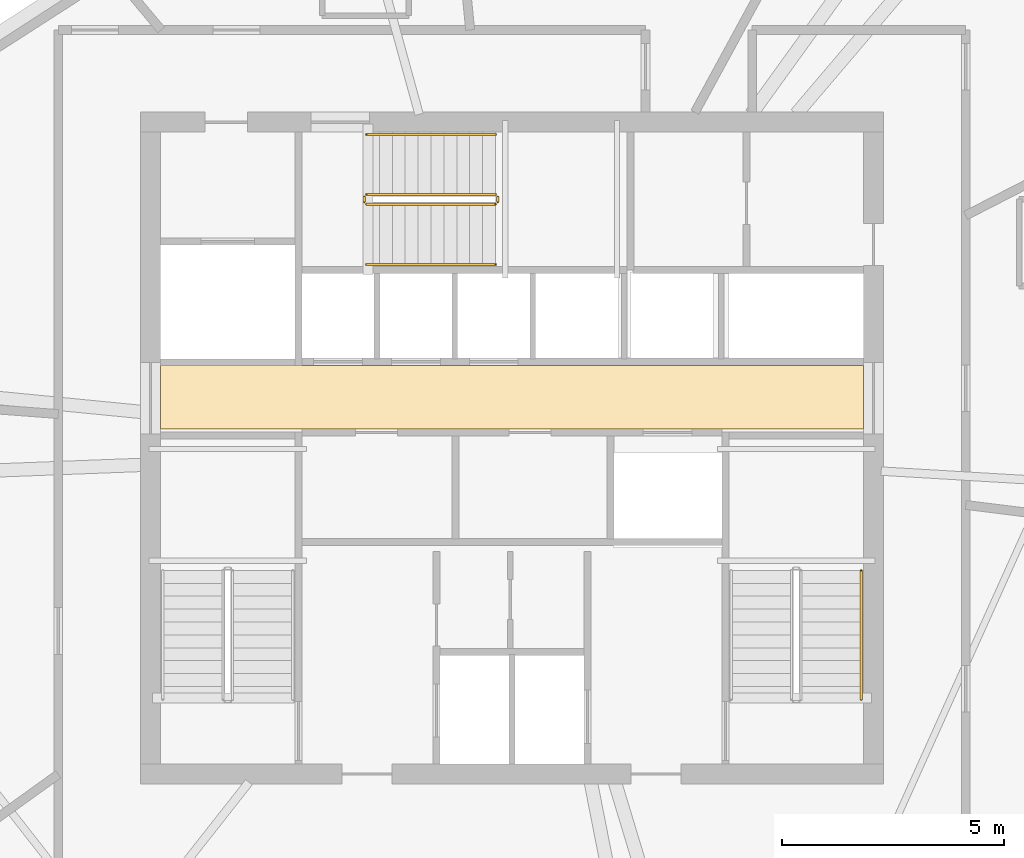
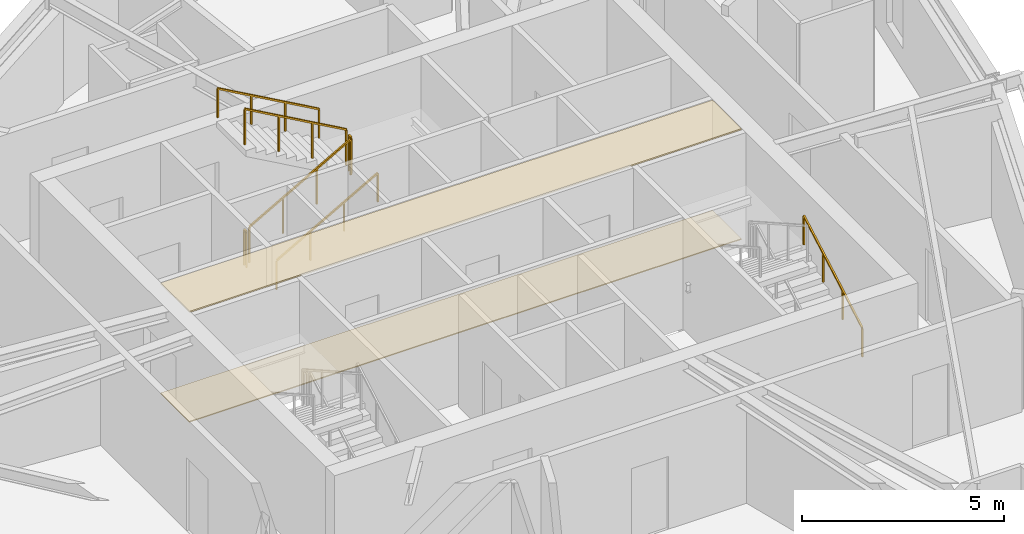
# One storey, part 13 of 15: 7 railings, 2 coverings.
"""IFC4 building model written with IfcOpenShell, lengths in metres."""

from ifc_helpers import new_model, si_unit, direction, frame, origin, origin_2d, place, context, subcontext, project, spatial, polyline, rectangle, outline, extrude, material, layer, layer_set, type_object, element, save


model = new_model("IFC4")

# Units and contexts
model_context = context("Model", 3, precision=1e-05, world=origin(), true_north=direction((0.0, 1.0)))
body_context = subcontext(model_context, "Body", "Model", "MODEL_VIEW")
ifc_project = project(units=[si_unit("LENGTHUNIT", "METRE"), si_unit("AREAUNIT", "SQUARE_METRE"), si_unit("VOLUMEUNIT", "CUBIC_METRE"), si_unit("PLANEANGLEUNIT", "RADIAN"), si_unit("MASSUNIT", "GRAM", prefix="KILO")], contexts=[model_context])

# Site, building, storey
site_placement = place(None, origin())
site = spatial("IfcSite", under=ifc_project, at=site_placement, CompositionType="ELEMENT")
building_placement = place(site_placement, origin())
building = spatial("IfcBuilding", under=site, at=building_placement, Name="Olszyna Solenne Hotel", CompositionType="ELEMENT")
storey_placement = place(building_placement, frame((0.0, 0.0, 245.300048828125)))
storey = spatial("IfcBuildingStorey", under=building, at=storey_placement, Name="L65", CompositionType="ELEMENT", Elevation=245.300048828125)

# Coverings
ifc_material_1 = material(Name="Mineral wool acoustic ceiling")
ifc_layer_1 = layer(ifc_material_1, 0.0400390625, Name="Mineral wool acoustic ceiling")
ifc_layer_set_1 = layer_set([ifc_layer_1], Name="Mineral wool acoustic ceiling")
covering_type_1 = type_object("IfcCoveringType", Name="CL-AC1", PredefinedType="CEILING", material=ifc_layer_set_1)
covering_1_placement = place(storey_placement, frame((0.0, 0.0, 3.320068359375)))
element("IfcCovering", 1, at=covering_1_placement, inside=storey, type_object=covering_type_1, Name="Lift lobby acoustic tile ceiling CL-L65-01", PredefinedType="CEILING", context=body_context, shape_type="SweptSolid", body=[
    extrude(outline(polyline([(30.10009765625, 27.030029296875), (45.89990234375, 27.030029296875), (45.89990234375, 28.4599609375), (30.10009765625, 28.4599609375), (30.10009765625, 27.030029296875)])), origin(), (0.0, 0.0, 1.0), 0.039794921875),
])
ifc_material_2 = material(Name="Ceramic floor tile")
ifc_layer_2 = layer(ifc_material_2, 0.030029296875, Name="Ceramic floor tile")
ifc_layer_set_2 = layer_set([ifc_layer_2], Name="Ceramic floor tile")
covering_type_2 = type_object("IfcCoveringType", Name="FL-TL1", PredefinedType="FLOORING", material=ifc_layer_set_2)
covering_2_placement = place(storey_placement, origin())
element("IfcCovering", 2, at=covering_2_placement, inside=storey, type_object=covering_type_2, Name="Lift lobby stoneware floor finish FLR-L65-01", PredefinedType="FLOORING", context=body_context, shape_type="SweptSolid", body=[
    extrude(outline(polyline([(30.10009765625, 27.030029296875), (45.89990234375, 27.030029296875), (45.89990234375, 28.4599609375), (30.10009765625, 28.4599609375), (30.10009765625, 27.030029296875)])), origin(), (0.0, 0.0, 1.0), 0.030029296875),
])

# Railings
ifc_material_3 = material(Name="Anodised bronze aluminium", Category="aluminium")
railing_type_1 = type_object("IfcRailingType", Name="GR-110", PredefinedType="BALUSTRADE", material=ifc_material_3)
railing_1_placement = place(storey_placement, frame((34.72998046875, 32.080078125, 0.16357421875)))
element("IfcRailing", 3, at=railing_1_placement, inside=storey, type_object=railing_type_1, Name="L65 ST3 stair guard 1", PredefinedType="BALUSTRADE", context=body_context, shape_type="SweptSolid", body=[
    extrude(rectangle(XDim=0.048095703125, YDim=0.048095703125, at=origin_2d()), frame((0.0, 0.0, 1.076171875), z_axis=(0.870897200241, 0.0, 0.491465224214), x_axis=(0.0, 1.0, 0.0)), (0.0, 0.0, 1.0), 3.329833984375),
    extrude(rectangle(XDim=0.0419921875, YDim=0.0419921875, at=origin_2d()), origin(), (0.0, 0.0, 1.0), 1.052001953125),
    extrude(rectangle(XDim=0.0419921875, YDim=0.0419921875, at=origin_2d()), frame((0.966552734375, 0.0, 0.54541015625)), (0.0, 0.0, 1.0), 1.052001953125),
    extrude(rectangle(XDim=0.0419921875, YDim=0.0419921875, at=origin_2d()), frame((1.933349609375, 0.0, 1.091064453125)), (0.0, 0.0, 1.0), 1.052001953125),
    extrude(rectangle(XDim=0.0419921875, YDim=0.0419921875, at=origin_2d()), frame((2.89990234375, 0.0, 1.636474609375)), (0.0, 0.0, 1.0), 1.052001953125),
])
railing_2_placement = place(storey_placement, frame((37.679931640625, 32.1298828125, 1.800048828125)))
element("IfcRailing", 4, at=railing_2_placement, inside=storey, type_object=railing_type_1, Name="L65 ST3 stair guard 2", PredefinedType="BALUSTRADE", context=body_context, shape_type="SweptSolid", body=[
    extrude(rectangle(XDim=0.048095703125, YDim=0.048095703125, at=origin_2d()), frame((0.0, 0.0, 1.076171875), z_axis=(0.0, 1.0, 0.0), x_axis=(-1.0, 0.0, 0.0)), (0.0, 0.0, 1.0), 0.1201171875),
    extrude(rectangle(XDim=0.0419921875, YDim=0.0419921875, at=origin_2d()), origin(), (0.0, 0.0, 1.0), 1.052001953125),
    extrude(rectangle(XDim=0.0419921875, YDim=0.0419921875, at=origin_2d()), frame((0.0, 0.1201171875, 0.0)), (0.0, 0.0, 1.0), 1.052001953125),
])
railing_3_placement = place(storey_placement, frame((37.6298828125, 32.300048828125, 1.963623046875)))
element("IfcRailing", 5, at=railing_3_placement, inside=storey, type_object=railing_type_1, Name="L65 ST3 stair guard 3", PredefinedType="BALUSTRADE", context=body_context, shape_type="SweptSolid", body=[
    extrude(rectangle(XDim=0.048095703125, YDim=0.048095703125, at=origin_2d()), frame((0.0, 0.0, 1.076171875), z_axis=(-0.870928581787, 0.0, 0.491409610636), x_axis=(0.0, -1.0, 0.0)), (0.0, 0.0, 1.0), 3.32958984375),
    extrude(rectangle(XDim=0.0419921875, YDim=0.0419921875, at=origin_2d()), origin(), (0.0, 0.0, 1.0), 1.052001953125),
    extrude(rectangle(XDim=0.0419921875, YDim=0.0419921875, at=origin_2d()), frame((-0.966552734375, 0.0, 0.54541015625)), (0.0, 0.0, 1.0), 1.052001953125),
    extrude(rectangle(XDim=0.0419921875, YDim=0.0419921875, at=origin_2d()), frame((-1.933349609375, 0.0, 1.0908203125)), (0.0, 0.0, 1.0), 1.052001953125),
    extrude(rectangle(XDim=0.0419921875, YDim=0.0419921875, at=origin_2d()), frame((-2.89990234375, 0.0, 1.63623046875)), (0.0, 0.0, 1.0), 1.052001953125),
])
railing_4_placement = place(storey_placement, frame((34.679931640625, 32.1298828125, 0.0)))
element("IfcRailing", 6, at=railing_4_placement, inside=storey, type_object=railing_type_1, Name="L65 ST3 stair guard 4", PredefinedType="BALUSTRADE", context=body_context, shape_type="SweptSolid", body=[
    extrude(rectangle(XDim=0.048095703125, YDim=0.048095703125, at=origin_2d()), frame((0.0, 0.0, 1.076171875), z_axis=(0.0, 1.0, 0.0), x_axis=(-1.0, 0.0, 0.0)), (0.0, 0.0, 1.0), 0.1201171875),
    extrude(rectangle(XDim=0.0419921875, YDim=0.0419921875, at=origin_2d()), origin(), (0.0, 0.0, 1.0), 1.052001953125),
    extrude(rectangle(XDim=0.0419921875, YDim=0.0419921875, at=origin_2d()), frame((0.0, 0.1201171875, 0.0)), (0.0, 0.0, 1.0), 1.052001953125),
])
ifc_material_4 = material(Name="Steel S355J2", Category="steel")
railing_type_2 = type_object("IfcRailingType", Name="HR-090", PredefinedType="HANDRAIL", material=ifc_material_4)
railing_5_placement = place(storey_placement, frame((45.85009765625, 20.949951171875, 0.16357421875)))
element("IfcRailing", 7, at=railing_5_placement, inside=storey, type_object=railing_type_2, Name="L65 ST2 stair handrail 1", PredefinedType="HANDRAIL", context=body_context, shape_type="SweptSolid", body=[
    extrude(rectangle(XDim=0.048095703125, YDim=0.048095703125, at=origin_2d()), frame((0.0, 0.0, 0.8759765625), z_axis=(0.0, 0.870914908162, 0.491433843708), x_axis=(-1.0, 0.0, 0.0)), (0.0, 0.0, 1.0), 3.330078125),
    extrude(rectangle(XDim=0.0419921875, YDim=0.0419921875, at=origin_2d()), origin(), (0.0, 0.0, 1.0), 0.851806640625),
    extrude(rectangle(XDim=0.0419921875, YDim=0.0419921875, at=origin_2d()), frame((0.0, 0.966796875, 0.54541015625)), (0.0, 0.0, 1.0), 0.851806640625),
    extrude(rectangle(XDim=0.0419921875, YDim=0.0419921875, at=origin_2d()), frame((0.0, 1.933349609375, 1.091064453125)), (0.0, 0.0, 1.0), 0.851806640625),
    extrude(rectangle(XDim=0.0419921875, YDim=0.0419921875, at=origin_2d()), frame((0.0, 2.900146484375, 1.636474609375)), (0.0, 0.0, 1.0), 0.851806640625),
])
railing_6_placement = place(storey_placement, frame((34.72998046875, 30.72998046875, 0.16357421875)))
element("IfcRailing", 8, at=railing_6_placement, inside=storey, type_object=railing_type_2, Name="L65 ST3 stair handrail 1", PredefinedType="HANDRAIL", context=body_context, shape_type="SweptSolid", body=[
    extrude(rectangle(XDim=0.048095703125, YDim=0.048095703125, at=origin_2d()), frame((0.0, 0.0, 0.8759765625), z_axis=(0.870897200241, 0.0, 0.491465224214), x_axis=(0.0, 1.0, 0.0)), (0.0, 0.0, 1.0), 3.329833984375),
    extrude(rectangle(XDim=0.0419921875, YDim=0.0419921875, at=origin_2d()), origin(), (0.0, 0.0, 1.0), 0.851806640625),
    extrude(rectangle(XDim=0.0419921875, YDim=0.0419921875, at=origin_2d()), frame((0.966552734375, 0.0, 0.54541015625)), (0.0, 0.0, 1.0), 0.851806640625),
    extrude(rectangle(XDim=0.0419921875, YDim=0.0419921875, at=origin_2d()), frame((1.933349609375, 0.0, 1.091064453125)), (0.0, 0.0, 1.0), 0.851806640625),
    extrude(rectangle(XDim=0.0419921875, YDim=0.0419921875, at=origin_2d()), frame((2.89990234375, 0.0, 1.636474609375)), (0.0, 0.0, 1.0), 0.851806640625),
])
railing_7_placement = place(storey_placement, frame((37.6298828125, 33.64990234375, 1.963623046875)))
element("IfcRailing", 9, at=railing_7_placement, inside=storey, type_object=railing_type_2, Name="L65 ST3 stair handrail 2", PredefinedType="HANDRAIL", context=body_context, shape_type="SweptSolid", body=[
    extrude(rectangle(XDim=0.048095703125, YDim=0.048095703125, at=origin_2d()), frame((0.0, 0.0, 0.8759765625), z_axis=(-0.870928581787, 0.0, 0.491409610636), x_axis=(0.0, -1.0, 0.0)), (0.0, 0.0, 1.0), 3.32958984375),
    extrude(rectangle(XDim=0.0419921875, YDim=0.0419921875, at=origin_2d()), origin(), (0.0, 0.0, 1.0), 0.851806640625),
    extrude(rectangle(XDim=0.0419921875, YDim=0.0419921875, at=origin_2d()), frame((-0.966552734375, 0.0, 0.54541015625)), (0.0, 0.0, 1.0), 0.851806640625),
    extrude(rectangle(XDim=0.0419921875, YDim=0.0419921875, at=origin_2d()), frame((-1.933349609375, 0.0, 1.0908203125)), (0.0, 0.0, 1.0), 0.851806640625),
    extrude(rectangle(XDim=0.0419921875, YDim=0.0419921875, at=origin_2d()), frame((-2.89990234375, 0.0, 1.63623046875)), (0.0, 0.0, 1.0), 0.851806640625),
])

save(model, "model.ifc")
